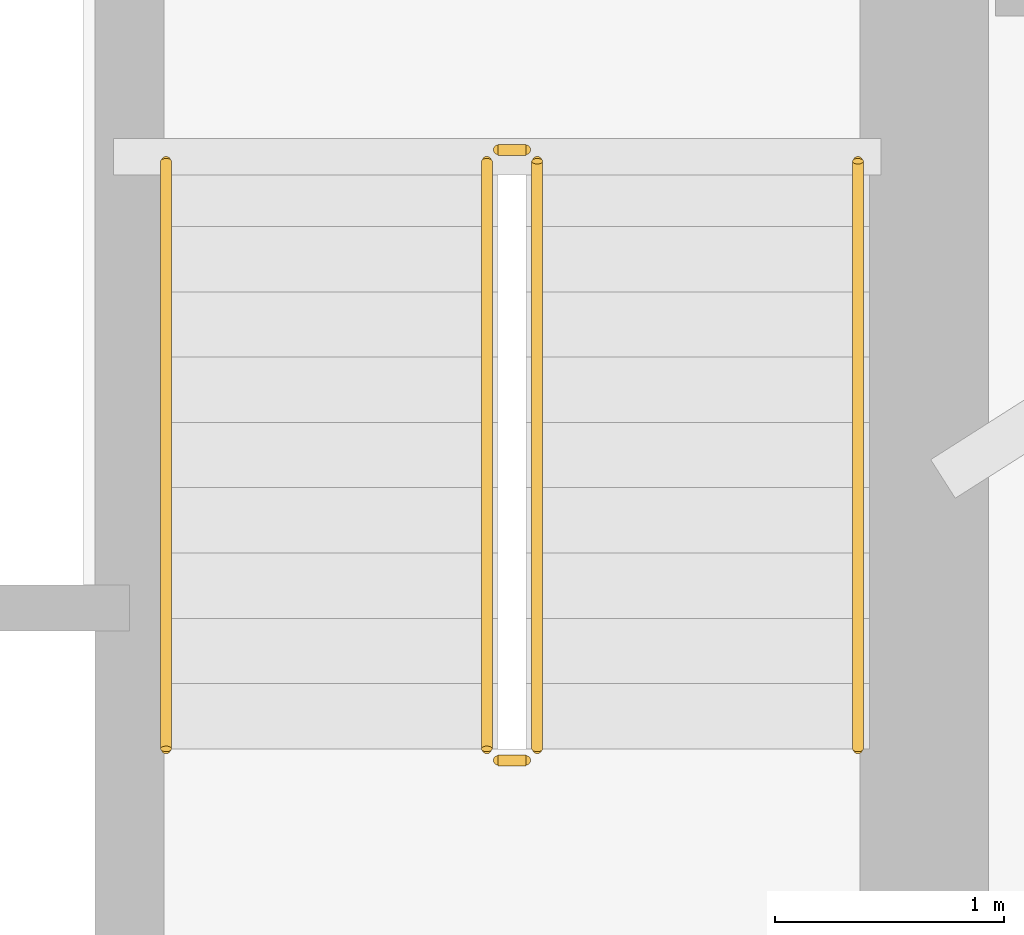
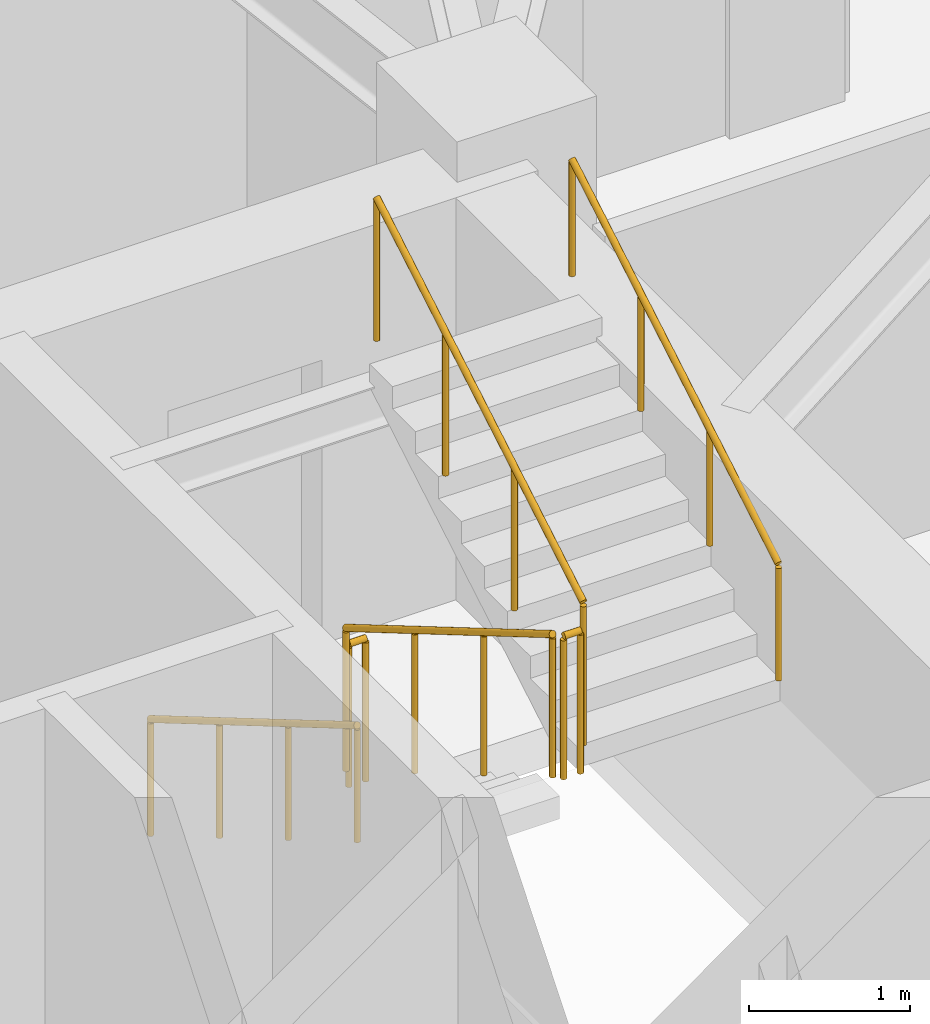
# One storey, part 17 of 17: 6 railings.
"""IFC4 building model written with IfcOpenShell, lengths in metres."""

from ifc_helpers import new_model, si_unit, direction, frame, origin, origin_2d, place, context, subcontext, project, spatial, circle, extrude, material, type_object, element, save


model = new_model("IFC4")

# Units and contexts
model_context = context("Model", 3, precision=1e-05, world=origin(), true_north=direction((0.0, 1.0)))
body_context = subcontext(model_context, "Body", "Model", "MODEL_VIEW")
ifc_project = project(units=[si_unit("LENGTHUNIT", "METRE"), si_unit("AREAUNIT", "SQUARE_METRE"), si_unit("VOLUMEUNIT", "CUBIC_METRE"), si_unit("PLANEANGLEUNIT", "RADIAN"), si_unit("MASSUNIT", "GRAM", prefix="KILO")], contexts=[model_context])

# Site, building, storey
site_placement = place(None, origin())
site = spatial("IfcSite", under=ifc_project, at=site_placement, CompositionType="ELEMENT")
building_placement = place(site_placement, origin())
building = spatial("IfcBuilding", under=site, at=building_placement, Name="Qobustan Lattice House", CompositionType="ELEMENT")
storey_placement = place(building_placement, frame((0.0, 0.0, 112.5)))
storey = spatial("IfcBuildingStorey", under=building, at=storey_placement, Name="L31", CompositionType="ELEMENT", Elevation=112.5)

# Railings
ifc_material_1 = material(Name="Brushed stainless steel handrail", Category="steel")
railing_type_1 = type_object("IfcRailingType", Name="RAL-HR-920", PredefinedType="HANDRAIL", material=ifc_material_1)
railing_1_placement = place(storey_placement, frame((15.179931640625, 3.5, 0.16748046875)))
element("IfcRailing", 1, at=railing_1_placement, inside=storey, type_object=railing_type_1, Name="L31 ST-E1 stair handrail 1", PredefinedType="HANDRAIL", context=body_context, shape_type="SweptSolid", body=[
    extrude(circle(Radius=0.02392578125, at=origin_2d()), frame((0.0, 0.0, 0.8759765625), z_axis=(0.0, -0.862113467892, 0.50671527358), x_axis=(1.0, 0.0, 0.0)), (0.0, 0.0, 1.0), 2.97509765625),
    extrude(circle(Radius=0.02099609375, at=origin_2d()), origin(), (0.0, 0.0, 1.0), 0.851806640625),
    extrude(circle(Radius=0.02099609375, at=origin_2d()), frame((0.0, -0.85498046875, 0.50244140625)), (0.0, 0.0, 1.0), 0.851806640625),
    extrude(circle(Radius=0.02099609375, at=origin_2d()), frame((0.0, -1.7099609375, 1.005126953125)), (0.0, 0.0, 1.0), 0.851806640625),
    extrude(circle(Radius=0.02099609375, at=origin_2d()), frame((0.0, -2.56494140625, 1.507568359375)), (0.0, 0.0, 1.0), 0.851806640625),
])
railing_2_placement = place(storey_placement, frame((18.199951171875, 0.93505859375, 1.842529296875)))
element("IfcRailing", 2, at=railing_2_placement, inside=storey, type_object=railing_type_1, Name="L31 ST-E1 stair handrail 2", PredefinedType="HANDRAIL", context=body_context, shape_type="SweptSolid", body=[
    extrude(circle(Radius=0.02392578125, at=origin_2d()), frame((0.0, 0.0, 0.8759765625), z_axis=(0.0, 0.862113467892, 0.50671527358), x_axis=(-1.0, 0.0, 0.0)), (0.0, 0.0, 1.0), 2.97509765625),
    extrude(circle(Radius=0.02099609375, at=origin_2d()), origin(), (0.0, 0.0, 1.0), 0.851806640625),
    extrude(circle(Radius=0.02099609375, at=origin_2d()), frame((0.0, 0.85498046875, 0.50244140625)), (0.0, 0.0, 1.0), 0.851806640625),
    extrude(circle(Radius=0.02099609375, at=origin_2d()), frame((0.0, 1.7099609375, 1.005126953125)), (0.0, 0.0, 1.0), 0.851806640625),
    extrude(circle(Radius=0.02099609375, at=origin_2d()), frame((0.0, 2.56494140625, 1.507568359375)), (0.0, 0.0, 1.0), 0.851806640625),
])
ifc_material_2 = material(Name="Painted galvanized steel guardrail", Category="steel")
railing_type_2 = type_object("IfcRailingType", Name="RAL-STG-1150", PredefinedType="GUARDRAIL", material=ifc_material_2)
railing_3_placement = place(storey_placement, frame((16.580078125, 3.5, 0.16748046875)))
element("IfcRailing", 3, at=railing_3_placement, inside=storey, type_object=railing_type_2, Name="L31 ST-E1 stair guard 1", PredefinedType="GUARDRAIL", context=body_context, shape_type="SweptSolid", body=[
    extrude(circle(Radius=0.02392578125, at=origin_2d()), frame((0.0, 0.0, 1.076171875), z_axis=(0.0, -0.862113467892, 0.50671527358), x_axis=(1.0, 0.0, 0.0)), (0.0, 0.0, 1.0), 2.97509765625),
    extrude(circle(Radius=0.02099609375, at=origin_2d()), origin(), (0.0, 0.0, 1.0), 1.052001953125),
    extrude(circle(Radius=0.02099609375, at=origin_2d()), frame((0.0, -0.85498046875, 0.50244140625)), (0.0, 0.0, 1.0), 1.052001953125),
    extrude(circle(Radius=0.02099609375, at=origin_2d()), frame((0.0, -1.7099609375, 1.005126953125)), (0.0, 0.0, 1.0), 1.052001953125),
    extrude(circle(Radius=0.02099609375, at=origin_2d()), frame((0.0, -2.56494140625, 1.507568359375)), (0.0, 0.0, 1.0), 1.052001953125),
])
railing_4_placement = place(storey_placement, frame((16.6298828125, 0.885009765625, 1.675048828125)))
element("IfcRailing", 4, at=railing_4_placement, inside=storey, type_object=railing_type_2, Name="L31 ST-E1 stair guard 2", PredefinedType="GUARDRAIL", context=body_context, shape_type="SweptSolid", body=[
    extrude(circle(Radius=0.02392578125, at=origin_2d()), frame((0.0, 0.0, 1.076171875), z_axis=(1.0, 0.0, 0.0), x_axis=(0.0, 1.0, 0.0)), (0.0, 0.0, 1.0), 0.1201171875),
    extrude(circle(Radius=0.02099609375, at=origin_2d()), origin(), (0.0, 0.0, 1.0), 1.052001953125),
    extrude(circle(Radius=0.02099609375, at=origin_2d()), frame((0.1201171875, 0.0, 0.0)), (0.0, 0.0, 1.0), 1.052001953125),
])
railing_5_placement = place(storey_placement, frame((16.800048828125, 0.93505859375, 1.842529296875)))
element("IfcRailing", 5, at=railing_5_placement, inside=storey, type_object=railing_type_2, Name="L31 ST-E1 stair guard 3", PredefinedType="GUARDRAIL", context=body_context, shape_type="SweptSolid", body=[
    extrude(circle(Radius=0.02392578125, at=origin_2d()), frame((0.0, 0.0, 1.076171875), z_axis=(0.0, 0.862113467892, 0.50671527358), x_axis=(-1.0, 0.0, 0.0)), (0.0, 0.0, 1.0), 2.97509765625),
    extrude(circle(Radius=0.02099609375, at=origin_2d()), origin(), (0.0, 0.0, 1.0), 1.052001953125),
    extrude(circle(Radius=0.02099609375, at=origin_2d()), frame((0.0, 0.85498046875, 0.50244140625)), (0.0, 0.0, 1.0), 1.052001953125),
    extrude(circle(Radius=0.02099609375, at=origin_2d()), frame((0.0, 1.7099609375, 1.005126953125)), (0.0, 0.0, 1.0), 1.052001953125),
    extrude(circle(Radius=0.02099609375, at=origin_2d()), frame((0.0, 2.56494140625, 1.507568359375)), (0.0, 0.0, 1.0), 1.052001953125),
])
railing_6_placement = place(storey_placement, frame((16.6298828125, 3.550048828125, 0.0)))
element("IfcRailing", 6, at=railing_6_placement, inside=storey, type_object=railing_type_2, Name="L31 ST-E1 stair guard 4", PredefinedType="GUARDRAIL", context=body_context, shape_type="SweptSolid", body=[
    extrude(circle(Radius=0.02392578125, at=origin_2d()), frame((0.0, 0.0, 1.076171875), z_axis=(1.0, 0.0, 0.0), x_axis=(0.0, 1.0, 0.0)), (0.0, 0.0, 1.0), 0.1201171875),
    extrude(circle(Radius=0.02099609375, at=origin_2d()), origin(), (0.0, 0.0, 1.0), 1.052001953125),
    extrude(circle(Radius=0.02099609375, at=origin_2d()), frame((0.1201171875, 0.0, 0.0)), (0.0, 0.0, 1.0), 1.052001953125),
])

save(model, "model.ifc")
